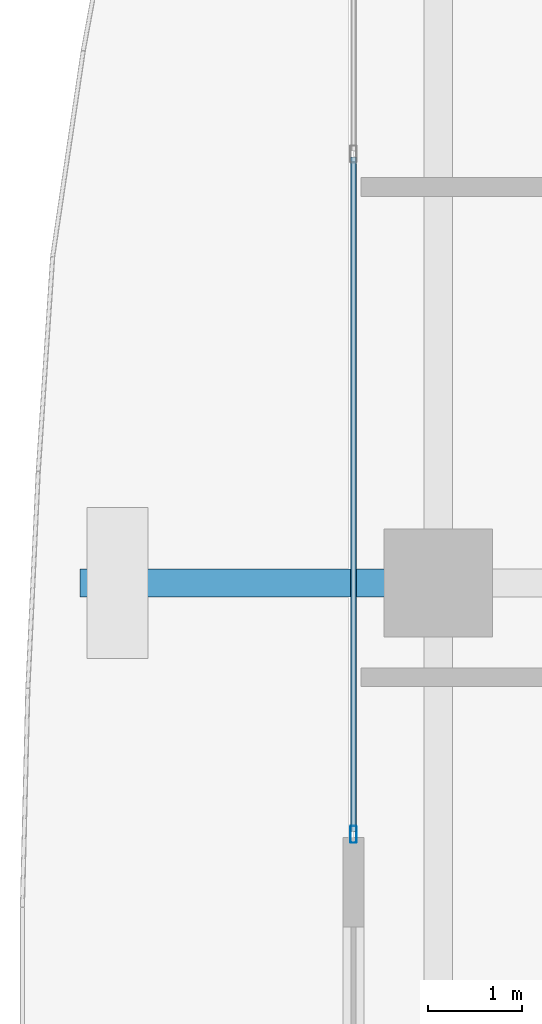
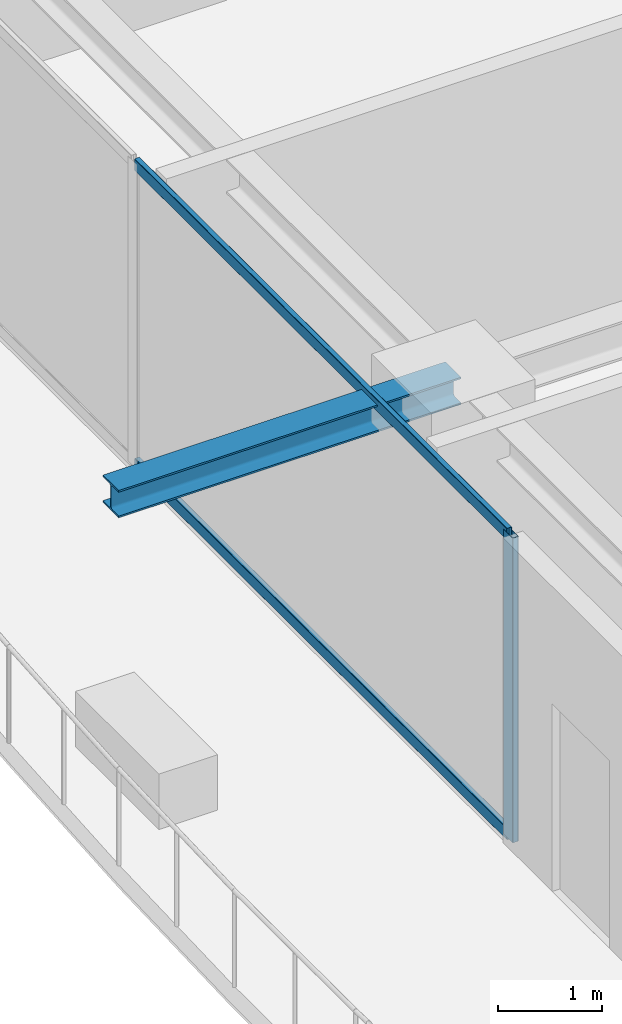
# One storey, part 10 of 38: 3 members, 1 beam, 1 element without a shape of its own.
"""IFC4 building model written with IfcOpenShell, lengths in metres."""

from ifc_helpers import new_model, si_unit, direction, frame, origin, origin_2d, place, context, subcontext, project, spatial, hollow_rectangle, i_section, extrude, source, transform, mapped, material, layer, layer_set, material_profile, profile_set, type_object, element, aggregate, save


model = new_model("IFC4")

# Units and contexts
model_context = context("Model", 3, precision=1e-05, world=origin(), true_north=direction((0.0, 1.0)))
body_context = subcontext(model_context, "Body", "Model", "MODEL_VIEW")
ifc_project = project(units=[si_unit("LENGTHUNIT", "METRE"), si_unit("AREAUNIT", "SQUARE_METRE"), si_unit("VOLUMEUNIT", "CUBIC_METRE"), si_unit("PLANEANGLEUNIT", "RADIAN"), si_unit("MASSUNIT", "GRAM", prefix="KILO")], contexts=[model_context])

# Site, building, storey
site_placement = place(None, origin())
site = spatial("IfcSite", under=ifc_project, at=site_placement, CompositionType="ELEMENT")
building_placement = place(site_placement, origin())
building = spatial("IfcBuilding", under=site, at=building_placement, Name="Serunith Strait Residences", CompositionType="ELEMENT")
storey_placement = place(building_placement, frame((0.0, 0.0, 237.39990234375)))
storey = spatial("IfcBuildingStorey", under=building, at=storey_placement, Name="L59", CompositionType="ELEMENT", Elevation=237.39990234375)

# Beam
ifc_material_1 = material(Name="Steel S355J2", Category="steel")
ifc_material_profile_1 = material_profile(ifc_material_1, i_section(OverallWidth=0.300048828125, OverallDepth=0.320068359375, WebThickness=0.011474609375, FlangeThickness=0.0205078125, FilletRadius=0.027099609375, at=origin_2d()), Name="HEB 320")
ifc_profile_set_1 = profile_set([ifc_material_profile_1], Name="Steel S355J2")
beam_type = type_object("IfcBeamType", Name="BM-HEB320", PredefinedType="BEAM", material=ifc_profile_set_1)
shared_shape_1 = source(origin(), body_context, "Body", "SweptSolid", [
    extrude(i_section(OverallWidth=0.300048828125, OverallDepth=0.320068359375, WebThickness=0.011474609375, FlangeThickness=0.0205078125, FilletRadius=0.027099609375, at=origin_2d()), origin(), (0.0, 0.0, 1.0), 3.800048828125),
])
beam_placement = place(storey_placement, frame((8.300048828125, 29.39990234375, 3.397216796875), z_axis=(-1.0, 0.0, 0.0), x_axis=(0.0, -1.0, 0.0)))
element("IfcBeam", 1, at=beam_placement, inside=storey, type_object=beam_type, Name="L60 Cantilevered Balcony Rib TC-W3", PredefinedType="BEAM", context=body_context, shape_type="MappedRepresentation", body=[
    mapped(shared_shape_1, transform((0.0, 0.0, 0.0), scale=1.0)),
])

# Curtain wall, members
ifc_material_2 = material(Name="Pale-Champagne Anodised Aluminium", Category="aluminium")
ifc_layer = layer(ifc_material_2, 0.199951171875, Name="Pale-Champagne Anodised Aluminium")
ifc_layer_set = layer_set([ifc_layer], Name="Pale-Champagne Anodised Aluminium")
curtain_wall_type = type_object("IfcCurtainWallType", Name="CW-SYS4", PredefinedType="NOTDEFINED", material=ifc_layer_set)
curtain_wall_placement = place(storey_placement, origin())
curtain_wall = element("IfcCurtainWall", 2, at=curtain_wall_placement, inside=storey, type_object=curtain_wall_type, Name="L59 W Unitised Fritted Curtain Wall", PredefinedType="NOTDEFINED")
ifc_material_profile_2 = material_profile(ifc_material_2, hollow_rectangle(XDim=0.06005859375, YDim=0.139892578125, WallThickness=0.00341796875, InnerFilletRadius=0.00537109375, OuterFilletRadius=0.0087890625, at=origin_2d()), Name="ALU 140x60x3.5")
ifc_profile_set_2 = profile_set([ifc_material_profile_2], Name="Pale-Champagne Anodised Aluminium")
member_type_1 = type_object("IfcMemberType", Name="CW-SYS4-TRAN", PredefinedType="USERDEFINED", material=ifc_profile_set_2)
shared_shape_2 = source(origin(), body_context, "Body", "SweptSolid", [
    extrude(hollow_rectangle(XDim=0.06005859375, YDim=0.139892578125, WallThickness=0.00341796875, InnerFilletRadius=0.00537109375, OuterFilletRadius=0.0087890625, at=origin_2d()), origin(), (0.0, 0.0, 1.0), 7.152587890625),
])
member_1_placement = place(storey_placement, frame((7.39990234375, 33.91748046875, 0.030029296875), z_axis=(0.0, -1.0, 0.0), x_axis=(1.0, 0.0, 0.0)))
member_1 = element("IfcMember", 3, at=member_1_placement, type_object=member_type_1, Name="CW-4 transom 2.1", ObjectType="TRANSOM", PredefinedType="USERDEFINED", context=body_context, shape_type="MappedRepresentation", body=[
    mapped(shared_shape_2, transform((0.0, 0.0, 0.0), scale=1.0)),
])
member_2_placement = place(storey_placement, frame((7.39990234375, 33.91748046875, 3.545166015625), z_axis=(0.0, -1.0, 0.0), x_axis=(1.0, 0.0, 0.0)))
member_2 = element("IfcMember", 4, at=member_2_placement, type_object=member_type_1, Name="CW-4 transom 2.2", ObjectType="TRANSOM", PredefinedType="USERDEFINED", context=body_context, shape_type="MappedRepresentation", body=[
    mapped(shared_shape_2, transform((0.0, 0.0, 0.0), scale=1.0)),
])
ifc_material_profile_3 = material_profile(ifc_material_2, hollow_rectangle(XDim=0.06494140625, YDim=0.179931640625, WallThickness=0.00341796875, InnerFilletRadius=0.00537109375, OuterFilletRadius=0.0087890625, at=origin_2d()), Name="ALU 180x65x3.5")
ifc_profile_set_3 = profile_set([ifc_material_profile_3], Name="Pale-Champagne Anodised Aluminium")
member_type_2 = type_object("IfcMemberType", Name="CW-SYS4-MULL", PredefinedType="MULLION", material=ifc_profile_set_3)
shared_shape_3 = source(origin(), body_context, "Body", "SweptSolid", [
    extrude(hollow_rectangle(XDim=0.06494140625, YDim=0.179931640625, WallThickness=0.00341796875, InnerFilletRadius=0.00537109375, OuterFilletRadius=0.0087890625, at=origin_2d()), origin(), (0.0, 0.0, 1.0), 3.5751953125),
])
member_3_placement = place(storey_placement, frame((7.39990234375, 26.732421875, 0.0), z_axis=(0.0, 0.0, 1.0), x_axis=(1.0, 0.0, 0.0)))
member_3 = element("IfcMember", 5, at=member_3_placement, type_object=member_type_2, Name="CW-4 mullion 3", PredefinedType="MULLION", context=body_context, shape_type="MappedRepresentation", body=[
    mapped(shared_shape_3, transform((0.0, 0.0, 0.0), scale=1.0)),
])
aggregate(curtain_wall, [member_3, member_1, member_2])

save(model, "model.ifc")
